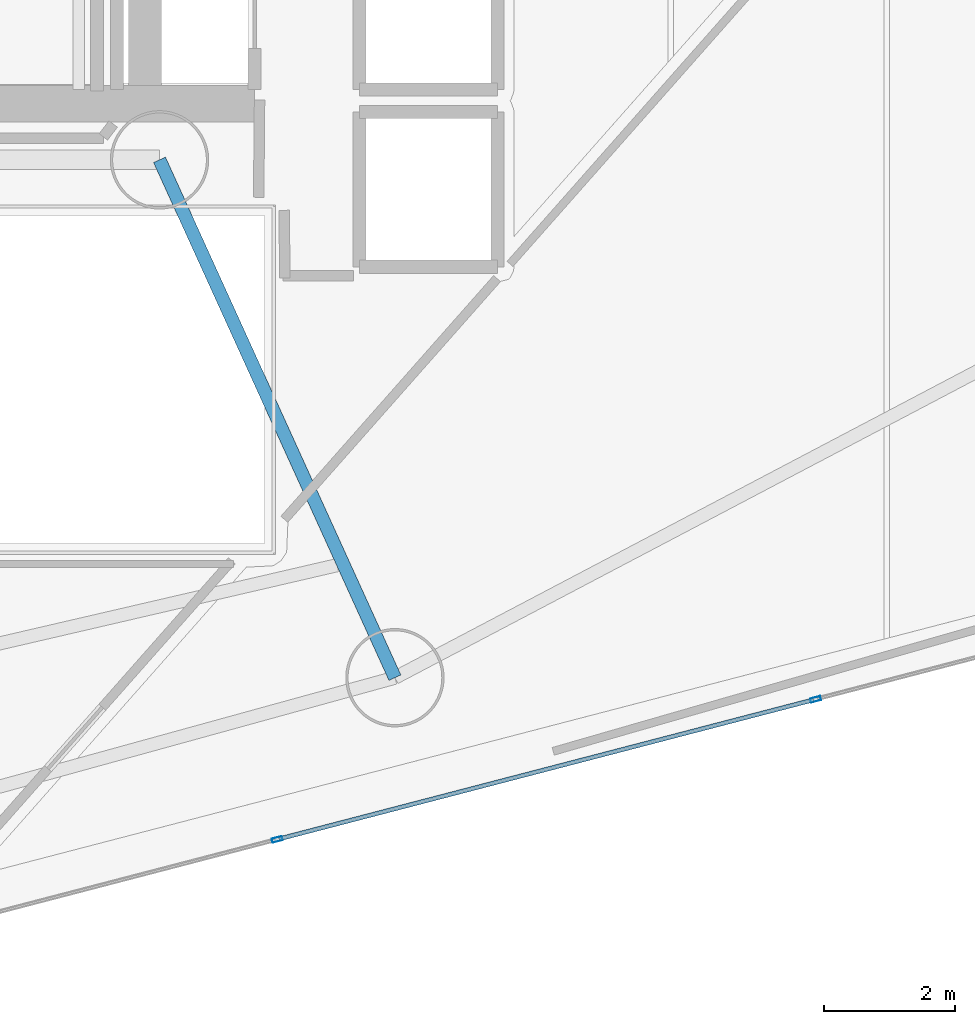
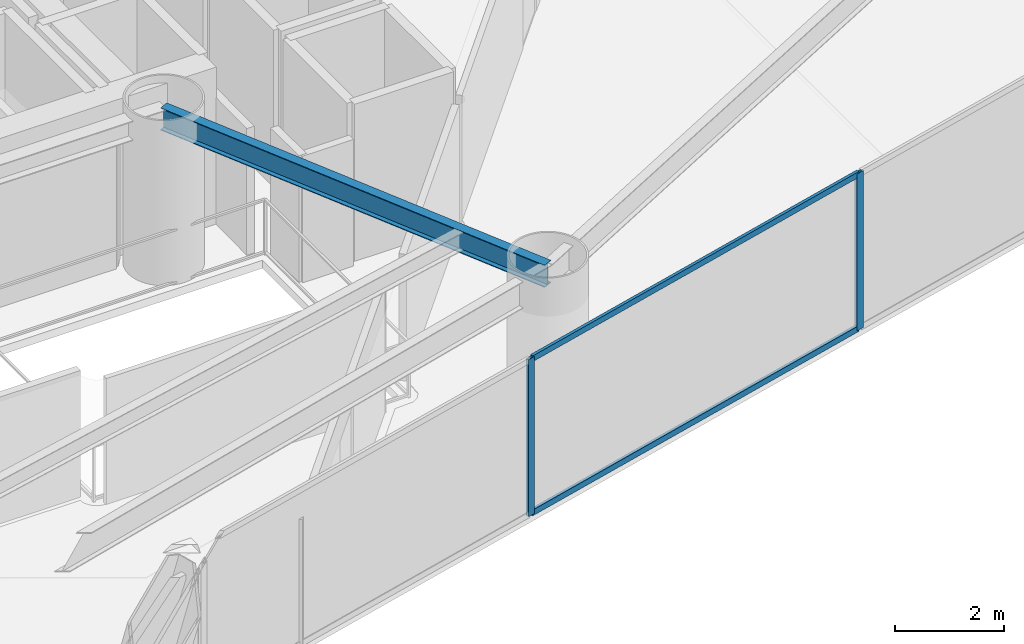
# One storey, part 6 of 21: 4 members, 1 beam, 1 element without a shape of its own.
"""IFC4 building model written with IfcOpenShell, lengths in metres."""

from ifc_helpers import new_model, si_unit, direction, frame, origin, origin_2d, place, context, subcontext, project, spatial, hollow_rectangle, i_section, extrude, material, layer, layer_set, material_profile, profile_set, type_object, element, aggregate, save


model = new_model("IFC4")

# Units and contexts
model_context = context("Model", 3, precision=1e-05, world=origin(), true_north=direction((0.0, 1.0)))
body_context = subcontext(model_context, "Body", "Model", "MODEL_VIEW")
ifc_project = project(units=[si_unit("LENGTHUNIT", "METRE"), si_unit("AREAUNIT", "SQUARE_METRE"), si_unit("VOLUMEUNIT", "CUBIC_METRE"), si_unit("PLANEANGLEUNIT", "RADIAN"), si_unit("MASSUNIT", "GRAM", prefix="KILO")], contexts=[model_context])

# Site, building, storey
site_placement = place(None, origin())
site = spatial("IfcSite", under=ifc_project, at=site_placement, CompositionType="ELEMENT")
building_placement = place(site_placement, origin())
building = spatial("IfcBuilding", under=site, at=building_placement, Name="Qianvela Tower", CompositionType="ELEMENT")
storey_placement = place(building_placement, frame((0.0, 0.0, 105.199951171875)))
storey = spatial("IfcBuildingStorey", under=building, at=storey_placement, Name="L26", CompositionType="ELEMENT", Elevation=105.199951171875)

# Beam
ifc_material_1 = material(Name="Steel Q355B", Category="steel")
ifc_material_profile_1 = material_profile(ifc_material_1, i_section(OverallWidth=0.199951171875, OverallDepth=0.5, WebThickness=0.010009765625, FlangeThickness=0.01611328125, at=origin_2d()), Name="HN500x200x10x16")
ifc_profile_set_1 = profile_set([ifc_material_profile_1], Name="Steel Q355B")
beam_type = type_object("IfcBeamType", Name="BM-HN500-GIRD", PredefinedType="BEAM", material=ifc_profile_set_1)
beam_placement = place(storey_placement, frame((38.39990234375, 23.85009765625, 3.26806640625), z_axis=(0.413839009437, -0.910350083357, 0.0), x_axis=(0.910350083357, 0.413839009437, 0.0)))
element("IfcBeam", 1, at=beam_placement, inside=storey, type_object=beam_type, Name="L26 Radial Primary Floor Girder 6", PredefinedType="BEAM", context=body_context, shape_type="SweptSolid", body=[
    extrude(i_section(OverallWidth=0.199951171875, OverallDepth=0.5, WebThickness=0.010009765625, FlangeThickness=0.01611328125, at=origin_2d()), origin(), (0.0, 0.0, 1.0), 8.67041015625),
])

# Curtain wall, members
ifc_material_2 = material(Name="Anodised Architectural Aluminium and Low-E Glass", Category="aluminium")
ifc_layer = layer(ifc_material_2, 0.169921875)
ifc_layer_set = layer_set([ifc_layer], Name="Anodised Architectural Aluminium and Low-E Glass")
curtain_wall_type = type_object("IfcCurtainWallType", Name="CW-COLIV-Z34", PredefinedType="USERDEFINED", material=ifc_layer_set)
curtain_wall_placement = place(storey_placement, origin())
curtain_wall = element("IfcCurtainWall", 2, at=curtain_wall_placement, inside=storey, type_object=curtain_wall_type, Name="L26 CW-COLIV-Z34 Curtain Wall 06B", ObjectType="CURTAIN_WALL_SYSTEM", PredefinedType="USERDEFINED")
ifc_material_3 = material(Name="Anodised Architectural Aluminium 6063-T6", Category="aluminium")
ifc_material_profile_2 = material_profile(ifc_material_3, hollow_rectangle(XDim=0.06494140625, YDim=0.159912109375, WallThickness=0.0048828125, at=origin_2d()), Name="ALU-MULL-65x160")
ifc_profile_set_2 = profile_set([ifc_material_profile_2], Name="Anodised Architectural Aluminium 6063-T6")
member_type_1 = type_object("IfcMemberType", Name="CW-COLIV-Z34-MULL", PredefinedType="MULLION", material=ifc_profile_set_2)
member_1_placement = place(storey_placement, frame((40.192626953125, 13.491455078125, 0.0), z_axis=(0.0, 0.0, 1.0), x_axis=(-0.25195021381, 0.96774019745, 0.0)))
member_1 = element("IfcMember", 3, at=member_1_placement, type_object=member_type_1, Name="CW-4 mullion 2", PredefinedType="MULLION", context=body_context, shape_type="SweptSolid", body=[
    extrude(hollow_rectangle(XDim=0.06494140625, YDim=0.159912109375, WallThickness=0.0048828125, at=origin_2d()), origin(), (0.0, 0.0, 1.0), 3.52001953125),
])
member_2_placement = place(storey_placement, frame((48.400390625, 15.62841796875, 0.0), z_axis=(0.0, 0.0, 1.0), x_axis=(-0.25195021381, 0.96774019745, 0.0)))
member_2 = element("IfcMember", 4, at=member_2_placement, type_object=member_type_1, Name="CW-4 mullion 3", PredefinedType="MULLION", context=body_context, shape_type="SweptSolid", body=[
    extrude(hollow_rectangle(XDim=0.06494140625, YDim=0.159912109375, WallThickness=0.0048828125, at=origin_2d()), origin(), (0.0, 0.0, 1.0), 3.52001953125),
])
ifc_material_4 = material(Name="Anodised Architectural Aluminium 6063-T6", Category="aluminium")
ifc_material_profile_3 = material_profile(ifc_material_4, hollow_rectangle(XDim=0.06494140625, YDim=0.1298828125, WallThickness=0.00439453125, at=origin_2d()), Name="ALU-TRAN-65x130")
ifc_profile_set_3 = profile_set([ifc_material_profile_3], Name="Anodised Architectural Aluminium 6063-T6")
member_type_2 = type_object("IfcMemberType", Name="CW-COLIV-Z34-TRAN", PredefinedType="USERDEFINED", material=ifc_profile_set_3)
member_3_placement = place(storey_placement, frame((40.22412109375, 13.499755859375, 0.032470703125), z_axis=(0.967743760078, 0.251936529369, 0.0), x_axis=(-0.251936529369, 0.967743760078, 0.0)))
member_3 = element("IfcMember", 5, at=member_3_placement, type_object=member_type_2, Name="CW-4 transom 2.1", ObjectType="TRANSOM", PredefinedType="USERDEFINED", context=body_context, shape_type="SweptSolid", body=[
    extrude(hollow_rectangle(XDim=0.06494140625, YDim=0.1298828125, WallThickness=0.00439453125, at=origin_2d()), origin(), (0.0, 0.0, 1.0), 8.416259765625),
])
member_4_placement = place(storey_placement, frame((40.22412109375, 13.499755859375, 3.487548828125), z_axis=(0.967743760078, 0.251936529369, 0.0), x_axis=(-0.251936529369, 0.967743760078, 0.0)))
member_4 = element("IfcMember", 6, at=member_4_placement, type_object=member_type_2, Name="CW-4 transom 2.2", ObjectType="TRANSOM", PredefinedType="USERDEFINED", context=body_context, shape_type="SweptSolid", body=[
    extrude(hollow_rectangle(XDim=0.06494140625, YDim=0.1298828125, WallThickness=0.00439453125, at=origin_2d()), origin(), (0.0, 0.0, 1.0), 8.416259765625),
])
aggregate(curtain_wall, [member_1, member_2, member_3, member_4])

save(model, "model.ifc")
